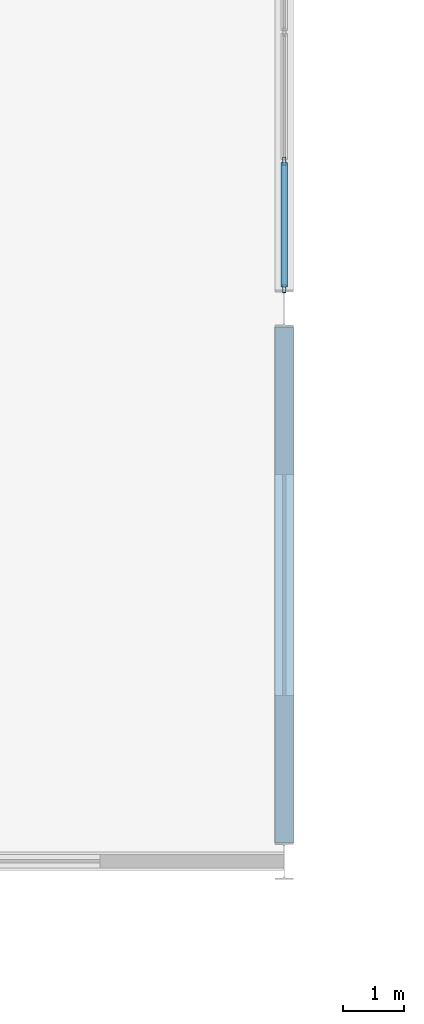
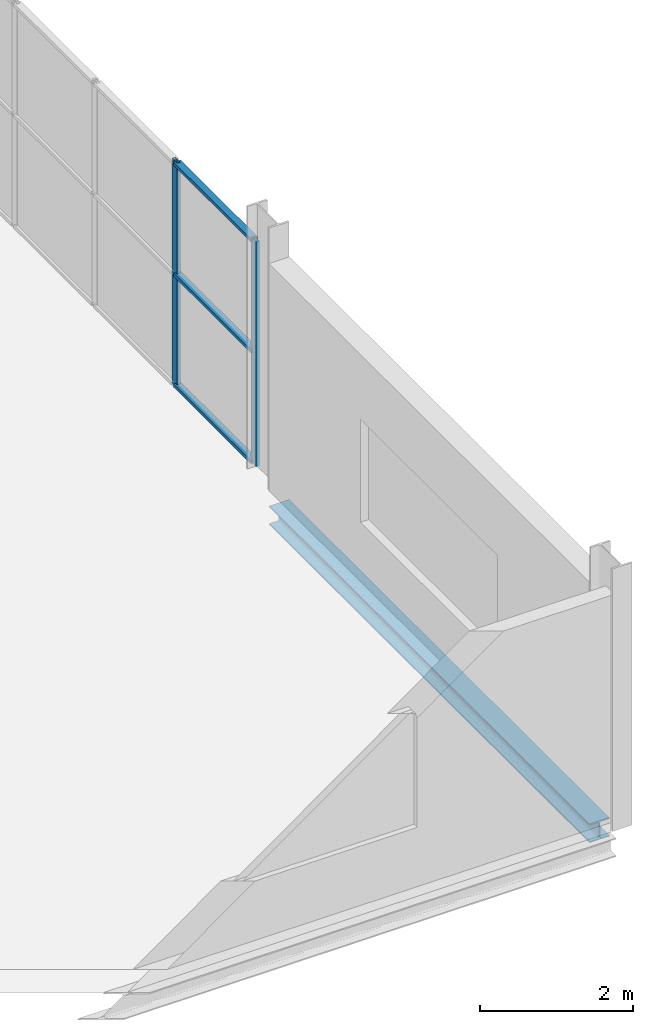
# One storey, part 33 of 59: 5 members, 1 beam, 1 element without a shape of its own.
"""IFC4 building model written with IfcOpenShell, lengths in metres."""

from ifc_helpers import new_model, si_unit, direction, frame, origin, origin_2d, place, context, subcontext, project, spatial, hollow_rectangle, i_section, extrude, material, layer, layer_set, material_profile, profile_set, type_object, element, aggregate, save


model = new_model("IFC4")

# Units and contexts
model_context = context("Model", 3, precision=1e-05, world=origin(), true_north=direction((0.0, 1.0)))
body_context = subcontext(model_context, "Body", "Model", "MODEL_VIEW")
ifc_project = project(units=[si_unit("LENGTHUNIT", "METRE"), si_unit("AREAUNIT", "SQUARE_METRE"), si_unit("VOLUMEUNIT", "CUBIC_METRE"), si_unit("PLANEANGLEUNIT", "RADIAN"), si_unit("MASSUNIT", "GRAM", prefix="KILO")], contexts=[model_context])

# Site, building, storey
site_placement = place(None, origin())
site = spatial("IfcSite", under=ifc_project, at=site_placement, CompositionType="ELEMENT")
building_placement = place(site_placement, origin())
building = spatial("IfcBuilding", under=site, at=building_placement, Name="Deido Ridge Mobility Hub", CompositionType="ELEMENT")
storey_placement = place(building_placement, frame((0.0, 0.0, 21.0)))
storey = spatial("IfcBuildingStorey", under=building, at=storey_placement, Name="L05", CompositionType="ELEMENT", Elevation=21.0)

# Curtain wall, members
ifc_material_1 = material(Name="Anodised aluminium EN AW-6063 T6", Category="aluminium")
ifc_layer = layer(ifc_material_1, 0.1650390625, Name="Anodised aluminium EN AW-6063 T6")
ifc_layer_set = layer_set([ifc_layer], Name="Anodised aluminium EN AW-6063 T6")
curtain_wall_type = type_object("IfcCurtainWallType", Name="CW-UF-1", PredefinedType="USERDEFINED", material=ifc_layer_set)
curtain_wall_placement = place(storey_placement, origin())
curtain_wall = element("IfcCurtainWall", 1, at=curtain_wall_placement, inside=storey, type_object=curtain_wall_type, Name="Unitised curtain wall CW1", ObjectType="UNITISED FACADE", PredefinedType="USERDEFINED")
ifc_material_profile_1 = material_profile(ifc_material_1, hollow_rectangle(XDim=0.050048828125, YDim=0.1298828125, WallThickness=0.00390625, at=origin_2d()), Name="RHS 50x130x4")
ifc_profile_set_1 = profile_set([ifc_material_profile_1], Name="Anodised aluminium EN AW-6063 T6")
member_type_1 = type_object("IfcMemberType", Name="MEM-MUL-50X130", PredefinedType="MULLION", material=ifc_profile_set_1)
member_1_placement = place(storey_placement, frame((180.0, 9.324951171875, 0.0), z_axis=(0.0, 0.0, 1.0), x_axis=(-1.0, 0.0, 0.0)))
member_1 = element("IfcMember", 2, at=member_1_placement, type_object=member_type_1, Name="CW1 mullion 1", PredefinedType="MULLION", context=body_context, shape_type="SweptSolid", body=[
    extrude(hollow_rectangle(XDim=0.050048828125, YDim=0.1298828125, WallThickness=0.00390625, at=origin_2d()), origin(), (0.0, 0.0, 1.0), 3.60009765625),
])
member_2_placement = place(storey_placement, frame((180.0, 11.39990234375, 0.0), z_axis=(0.0, 0.0, 1.0), x_axis=(-1.0, 0.0, 0.0)))
member_2 = element("IfcMember", 3, at=member_2_placement, type_object=member_type_1, Name="CW1 mullion 2", PredefinedType="MULLION", context=body_context, shape_type="SweptSolid", body=[
    extrude(hollow_rectangle(XDim=0.050048828125, YDim=0.1298828125, WallThickness=0.00390625, at=origin_2d()), origin(), (0.0, 0.0, 1.0), 3.60009765625),
])
ifc_material_profile_2 = material_profile(ifc_material_1, hollow_rectangle(XDim=0.10498046875, YDim=0.050048828125, WallThickness=0.00390625, at=origin_2d()), Name="RHS 105x50x4")
ifc_profile_set_2 = profile_set([ifc_material_profile_2], Name="Anodised aluminium EN AW-6063 T6")
member_type_2 = type_object("IfcMemberType", Name="MEM-TRN-105X50", PredefinedType="USERDEFINED", material=ifc_profile_set_2)
member_3_placement = place(storey_placement, frame((180.0, 9.35009765625, 0.02490234375), z_axis=(0.0, 1.0, 0.0), x_axis=(-1.0, 0.0, 0.0)))
member_3 = element("IfcMember", 4, at=member_3_placement, type_object=member_type_2, Name="CW1 transom 1.1", ObjectType="TRANSOM", PredefinedType="USERDEFINED", context=body_context, shape_type="SweptSolid", body=[
    extrude(hollow_rectangle(XDim=0.10498046875, YDim=0.050048828125, WallThickness=0.00390625, at=origin_2d()), origin(), (0.0, 0.0, 1.0), 2.02490234375),
])
member_4_placement = place(storey_placement, frame((180.0, 9.35009765625, 1.800048828125), z_axis=(0.0, 1.0, 0.0), x_axis=(-1.0, 0.0, 0.0)))
member_4 = element("IfcMember", 5, at=member_4_placement, type_object=member_type_2, Name="CW1 transom 1.2", ObjectType="TRANSOM", PredefinedType="USERDEFINED", context=body_context, shape_type="SweptSolid", body=[
    extrude(hollow_rectangle(XDim=0.10498046875, YDim=0.050048828125, WallThickness=0.00390625, at=origin_2d()), origin(), (0.0, 0.0, 1.0), 2.02490234375),
])
member_5_placement = place(storey_placement, frame((180.0, 9.35009765625, 3.574951171875), z_axis=(0.0, 1.0, 0.0), x_axis=(-1.0, 0.0, 0.0)))
member_5 = element("IfcMember", 6, at=member_5_placement, type_object=member_type_2, Name="CW1 transom 1.3", ObjectType="TRANSOM", PredefinedType="USERDEFINED", context=body_context, shape_type="SweptSolid", body=[
    extrude(hollow_rectangle(XDim=0.10498046875, YDim=0.050048828125, WallThickness=0.00390625, at=origin_2d()), origin(), (0.0, 0.0, 1.0), 2.02490234375),
])
aggregate(curtain_wall, [member_1, member_2, member_3, member_4, member_5])

# Beam
ifc_material_2 = material(Name="Steel S355J2 EN 10025-2", Category="steel")
ifc_material_profile_3 = material_profile(ifc_material_2, i_section(OverallWidth=0.300048828125, OverallDepth=0.300048828125, WebThickness=0.010986328125, FlangeThickness=0.01904296875, FilletRadius=0.027099609375, at=origin_2d()), Name="HEB 300")
ifc_profile_set_3 = profile_set([ifc_material_profile_3], Name="Steel S355J2 EN 10025-2")
beam_type = type_object("IfcBeamType", Name="SPD-HEB300", PredefinedType="SPANDREL", material=ifc_profile_set_3)
beam_placement = place(storey_placement, frame((180.0, 0.300048828125, -0.39501953125), z_axis=(0.0, 1.0, 0.0), x_axis=(-1.0, 0.0, 0.0)))
element("IfcBeam", 7, at=beam_placement, inside=storey, type_object=beam_type, Name="Floor beam SP1", PredefinedType="SPANDREL", context=body_context, shape_type="SweptSolid", body=[
    extrude(i_section(OverallWidth=0.300048828125, OverallDepth=0.300048828125, WebThickness=0.010986328125, FlangeThickness=0.01904296875, FilletRadius=0.027099609375, at=origin_2d()), origin(), (0.0, 0.0, 1.0), 8.39990234375),
])

save(model, "model.ifc")
